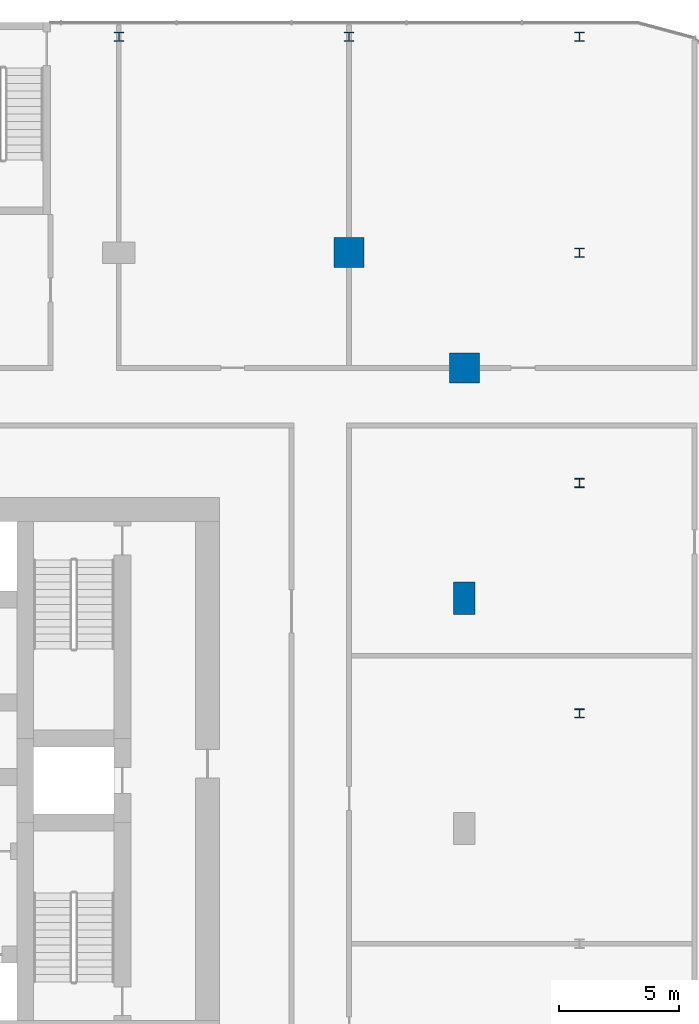
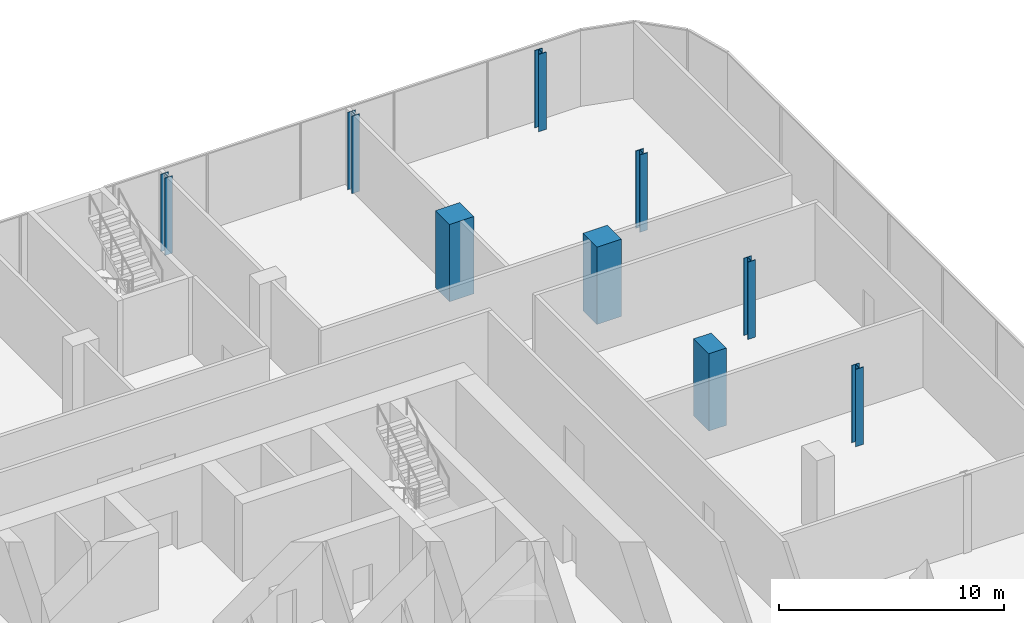
# One storey, part 5 of 43: 9 columns.
"""IFC4 building model written with IfcOpenShell, lengths in metres."""

from ifc_helpers import new_model, si_unit, direction, frame, origin, origin_2d, place, context, subcontext, project, spatial, rectangle, i_section, extrude, material, material_profile, profile_set, type_object, element, save


model = new_model("IFC4")

# Units and contexts
model_context = context("Model", 3, precision=1e-05, world=origin(), true_north=direction((0.0, 1.0)))
body_context = subcontext(model_context, "Body", "Model", "MODEL_VIEW")
ifc_project = project(units=[si_unit("LENGTHUNIT", "METRE"), si_unit("AREAUNIT", "SQUARE_METRE"), si_unit("VOLUMEUNIT", "CUBIC_METRE"), si_unit("PLANEANGLEUNIT", "RADIAN"), si_unit("MASSUNIT", "GRAM", prefix="KILO")], contexts=[model_context])

# Site, building, storey
site_placement = place(None, origin())
site = spatial("IfcSite", under=ifc_project, at=site_placement, CompositionType="ELEMENT")
building_placement = place(site_placement, origin())
building = spatial("IfcBuilding", under=site, at=building_placement, Name="Madar Terraces", CompositionType="ELEMENT")
storey_placement = place(building_placement, frame((0.0, 0.0, 10.5)))
storey = spatial("IfcBuildingStorey", under=building, at=storey_placement, Name="L02", CompositionType="ELEMENT", Elevation=10.5)

# Columns
ifc_material_1 = material(Name="Concrete C80/95", Category="concrete")
ifc_material_profile_1 = material_profile(ifc_material_1, rectangle(XDim=1.35009765625, YDim=0.89990234375, at=origin_2d()), Name="CC1 RC 1350x900")
ifc_profile_set_1 = profile_set([ifc_material_profile_1], Name="Concrete C80/95")
column_type_1 = type_object("IfcColumnType", Name="CC1 RC 1350x900", PredefinedType="COLUMN", material=ifc_profile_set_1)
column_placement = place(storey_placement, frame((57.60009765625, 33.60009765625, 0.0), z_axis=(0.0, 0.0, 1.0), x_axis=(0.0, 1.0, 0.0)))
element("IfcColumn", 1, at=column_placement, inside=storey, type_object=column_type_1, Name="Perimeter column E4", PredefinedType="COLUMN", context=body_context, shape_type="SweptSolid", body=[
    extrude(rectangle(XDim=1.35009765625, YDim=0.89990234375, at=origin_2d()), origin(), (0.0, 0.0, 1.0), 4.199951171875),
])
ifc_material_2 = material(Name="Concrete C80/95", Category="concrete")
ifc_material_profile_2 = material_profile(ifc_material_2, rectangle(XDim=1.25, YDim=1.25, at=origin_2d()), Name="KC1 RC 1250x1250")
ifc_profile_set_2 = profile_set([ifc_material_profile_2], Name="Concrete C80/95")
column_type_2 = type_object("IfcColumnType", Name="KC1 RC 1250x1250", PredefinedType="COLUMN", material=ifc_profile_set_2)
for number, where, z_axis, x_axis, name in (
    (2, (57.60009765625, 43.199951171875, 0.0), (0.0, 0.0, 1.0), (1.0, 0.0, 0.0), "Perimeter column E5"),
    (3, (52.800048828125, 48.0, 0.0), (0.0, 0.0, 1.0), (1.0, 0.0, 0.0), "Perimeter column N1"),
):
    element("IfcColumn", number, at=place(storey_placement, frame(where, z_axis=z_axis, x_axis=x_axis)), inside=storey, type_object=column_type_2, Name=name, PredefinedType="COLUMN", context=body_context, shape_type="SweptSolid", body=[
        extrude(rectangle(XDim=1.25, YDim=1.25, at=origin_2d()), origin(), (0.0, 0.0, 1.0), 4.199951171875),
    ])
ifc_material_3 = material(Name="Steel ASTM A992 Grade 50", Category="steel")
ifc_material_profile_3 = material_profile(ifc_material_3, i_section(OverallWidth=0.396240234375, OverallDepth=0.381103515625, WebThickness=0.01904296875, FlangeThickness=0.0302734375, at=origin_2d()), Name="W14x159")
ifc_profile_set_3 = profile_set([ifc_material_profile_3], Name="Steel ASTM A992 Grade 50")
column_type_3 = type_object("IfcColumnType", Name="PC2 W14x159", PredefinedType="COLUMN", material=ifc_profile_set_3)
for number, where, z_axis, x_axis, name in (
    (4, (43.199951171875, 57.0, 0.0), (0.0, 0.0, 1.0), (1.0, 0.0, 0.0), "Podium column PC2"),
    (5, (52.800048828125, 57.0, 0.0), (0.0, 0.0, 1.0), (1.0, 0.0, 0.0), "Podium column PC2"),
    (6, (62.39990234375, 28.800048828125, 0.0), (0.0, 0.0, 1.0), (1.0, 0.0, 0.0), "Podium column PC2"),
    (7, (62.39990234375, 38.39990234375, 0.0), (0.0, 0.0, 1.0), (1.0, 0.0, 0.0), "Podium column PC2"),
    (8, (62.39990234375, 48.0, 0.0), (0.0, 0.0, 1.0), (1.0, 0.0, 0.0), "Podium column PC2"),
    (9, (62.39990234375, 57.0, 0.0), (0.0, 0.0, 1.0), (1.0, 0.0, 0.0), "Podium column PC2"),
):
    element("IfcColumn", number, at=place(storey_placement, frame(where, z_axis=z_axis, x_axis=x_axis)), inside=storey, type_object=column_type_3, Name=name, PredefinedType="COLUMN", context=body_context, shape_type="SweptSolid", body=[
        extrude(i_section(OverallWidth=0.396240234375, OverallDepth=0.381103515625, WebThickness=0.01904296875, FlangeThickness=0.0302734375, at=origin_2d()), origin(), (0.0, 0.0, 1.0), 4.199951171875),
    ])

save(model, "model.ifc")
